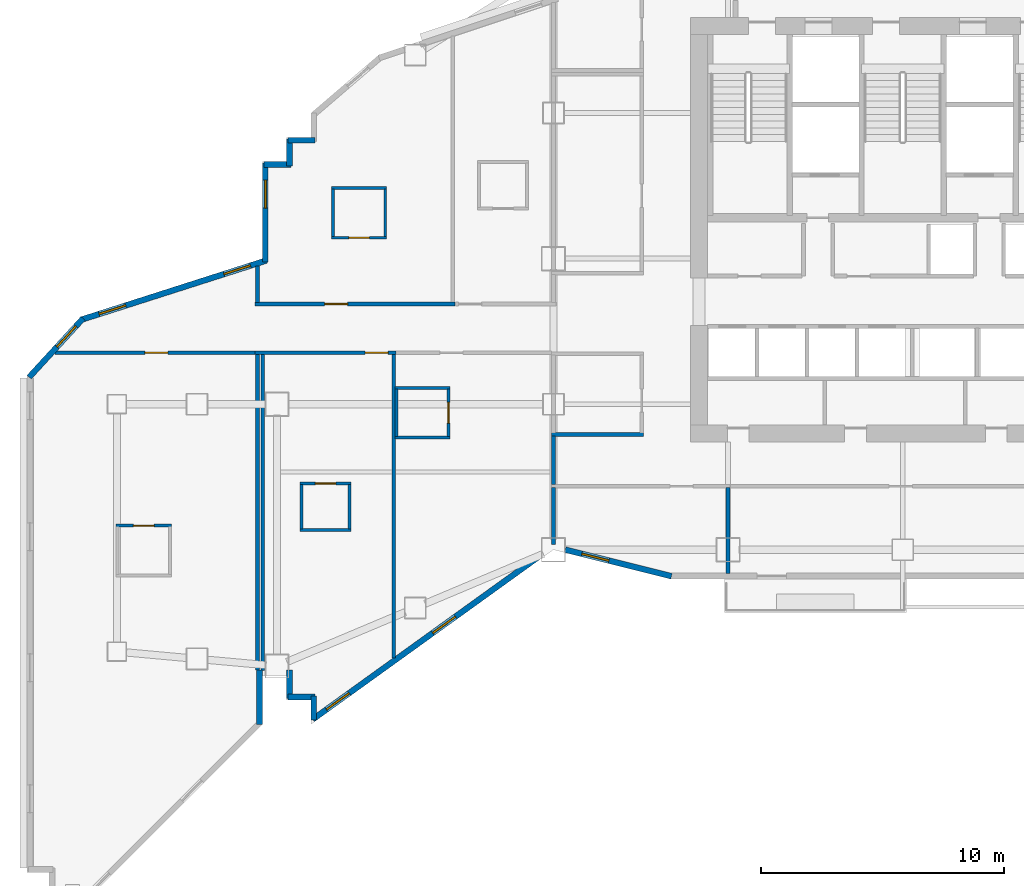
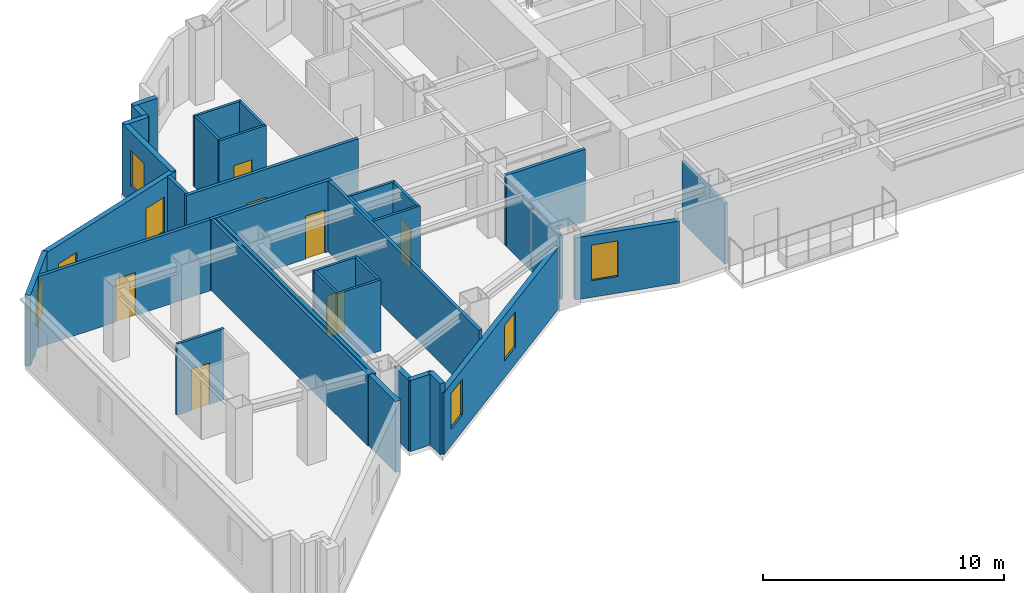
# One storey, part 5 of 14: 36 walls, 7 doors, 7 windows, 14 openings.
"""IFC4 building model written with IfcOpenShell, lengths in metres."""

from ifc_helpers import new_model, si_unit, direction, frame, frame_2d, origin, place, context, subcontext, project, spatial, rectangle, extrude, material, layer, layer_set, type_object, element, fill, save


model = new_model("IFC4")

# Units and contexts
model_context = context("Model", 3, precision=1e-05, world=origin(), true_north=direction((0.0, 1.0)))
body_context = subcontext(model_context, "Body", "Model", "MODEL_VIEW")
ifc_project = project(units=[si_unit("LENGTHUNIT", "METRE"), si_unit("AREAUNIT", "SQUARE_METRE"), si_unit("VOLUMEUNIT", "CUBIC_METRE"), si_unit("PLANEANGLEUNIT", "RADIAN"), si_unit("MASSUNIT", "GRAM", prefix="KILO")], contexts=[model_context])

# Site, building, storey
site_placement = place(None, origin())
site = spatial("IfcSite", under=ifc_project, at=site_placement, CompositionType="ELEMENT")
building_placement = place(site_placement, origin())
building = spatial("IfcBuilding", under=site, at=building_placement, Name="Haolan Belvedere Tower", CompositionType="ELEMENT")
storey_placement = place(building_placement, frame((0.0, 0.0, 113.60009765625)))
storey = spatial("IfcBuildingStorey", under=building, at=storey_placement, Name="L28", CompositionType="ELEMENT", Elevation=113.60009765625)

# Walls
ifc_material_1 = material(Name="Precast concrete C40/50", Category="concrete")
ifc_layer_1 = layer(ifc_material_1, 0.239990234375, Name="Precast concrete C40/50")
ifc_layer_set_1 = layer_set([ifc_layer_1], Name="Precast concrete C40/50")
wall_type_1 = type_object("IfcWallType", Name="WL-EXT-240", PredefinedType="SOLIDWALL", material=ifc_layer_set_1)
wall_1_placement = place(storey_placement, frame((13.1201171875, 16.639892578125, 0.0), z_axis=(0.0, 0.0, 1.0), x_axis=(0.0, -1.0, 0.0)))
element("IfcWall", 1, at=wall_1_placement, inside=storey, type_object=wall_type_1, Name="L28 pale-metal exterior spandrel wall 2.1", PredefinedType="SOLIDWALL", context=body_context, shape_type="SweptSolid", body=[
    extrude(rectangle(XDim=1.1748046875, YDim=0.239990234375, at=frame_2d((0.58740234375, 0.0))), origin(), (0.0, 0.0, 1.0), 3.599853515625),
])
wall_2_placement = place(storey_placement, frame((13.06494140625, 15.52001953125, 0.0), z_axis=(0.0, 0.0, 1.0), x_axis=(1.0, 0.0, 0.0)))
element("IfcWall", 2, at=wall_2_placement, inside=storey, type_object=wall_type_1, Name="L28 pale-metal exterior spandrel wall 3.1", PredefinedType="SOLIDWALL", context=body_context, shape_type="SweptSolid", body=[
    extrude(rectangle(XDim=1.110107421875, YDim=0.239990234375, at=frame_2d((0.55517578125, 0.0))), origin(), (0.0, 0.0, 1.0), 3.599853515625),
])
wall_3_placement = place(storey_placement, frame((14.1201171875, 15.574951171875, 0.0), z_axis=(0.0, 0.0, 1.0), x_axis=(0.0, -1.0, 0.0)))
element("IfcWall", 3, at=wall_3_placement, inside=storey, type_object=wall_type_1, Name="L28 pale-metal exterior spandrel wall 4.1", PredefinedType="SOLIDWALL", context=body_context, shape_type="SweptSolid", body=[
    extrude(rectangle(XDim=0.99560546875, YDim=0.239990234375, at=frame_2d((0.497802734375, 0.0))), origin(), (0.0, 0.0, 1.0), 3.599853515625),
])

# Wall, openings, windows
wall_4_placement = place(storey_placement, frame((14.075439453125, 14.602294921875, 0.0), z_axis=(0.0, 0.0, 1.0), x_axis=(0.811543504691, 0.584291998913, 0.0)))
wall_4 = element("IfcWall", 4, at=wall_4_placement, inside=storey, type_object=wall_type_1, Name="L28 pale-metal exterior spandrel wall 5.1", PredefinedType="SOLIDWALL", context=body_context, shape_type="SweptSolid", body=[
    extrude(rectangle(XDim=11.623046875, YDim=0.239990234375, at=frame_2d((5.8115234375, 0.0))), origin(), (0.0, 0.0, 1.0), 3.14501953125),
])
opening_1_placement = place(wall_4_placement, frame((0.699951171875, 0.0, 0.85009765625)))
opening_1 = element("IfcOpeningElement", 5, at=opening_1_placement, cuts=wall_4, Name="Opening W-02", PredefinedType="OPENING", context=body_context, shape_type="SweptSolid", body=[
    extrude(rectangle(XDim=1.14990234375, YDim=1.800048828125, at=frame_2d((0.574951171875, 0.89990234375))), frame((0.0, 0.1298828125, 0.0), z_axis=(0.0, -1.0, 0.0), x_axis=(1.0, 0.0, 0.0)), (0.0, 0.0, 1.0), 0.260009765625),
])
opening_2_placement = place(wall_4_placement, frame((6.10009765625, 0.0, 0.85009765625)))
opening_2 = element("IfcOpeningElement", 6, at=opening_2_placement, cuts=wall_4, Name="Opening W-02", PredefinedType="OPENING", context=body_context, shape_type="SweptSolid", body=[
    extrude(rectangle(XDim=1.14990234375, YDim=1.800048828125, at=frame_2d((0.574951171875, 0.89990234375))), frame((0.0, 0.1298828125, 0.0), z_axis=(0.0, -1.0, 0.0), x_axis=(1.0, 0.0, 0.0)), (0.0, 0.0, 1.0), 0.260009765625),
])
ifc_material_2 = material(Name="Anodised aluminium 6063-T6 and Low-E glass", Category="aluminium")
window_type = type_object("IfcWindowType", Name="WN-DECO-Z2", PartitioningType="SINGLE_PANEL", PredefinedType="WINDOW", material=ifc_material_2)
window_1_placement = place(opening_1_placement, origin())
window_1 = element("IfcWindow", 7, at=window_1_placement, inside=storey, type_object=window_type, Name="L28 Art Deco chevron window 1", OverallHeight=1.800048828125, OverallWidth=1.14990234375, PartitioningType="SINGLE_PANEL", PredefinedType="WINDOW", context=body_context, shape_type="SweptSolid", body=[
    extrude(rectangle(XDim=1.14990234375, YDim=1.800048828125, at=frame_2d((0.574951171875, 0.89990234375))), frame((0.0, 0.030029296875, 0.0), z_axis=(0.0, -1.0, 0.0), x_axis=(1.0, 0.0, 0.0)), (0.0, 0.0, 1.0), 0.06005859375),
])
fill(opening_1, window_1)
window_2_placement = place(opening_2_placement, origin())
window_2 = element("IfcWindow", 8, at=window_2_placement, inside=storey, type_object=window_type, Name="L28 Art Deco chevron window 2", OverallHeight=1.800048828125, OverallWidth=1.14990234375, PartitioningType="SINGLE_PANEL", PredefinedType="WINDOW", context=body_context, shape_type="SweptSolid", body=[
    extrude(rectangle(XDim=1.14990234375, YDim=1.800048828125, at=frame_2d((0.574951171875, 0.89990234375))), frame((0.0, 0.030029296875, 0.0), z_axis=(0.0, -1.0, 0.0), x_axis=(1.0, 0.0, 0.0)), (0.0, 0.0, 1.0), 0.06005859375),
])
fill(opening_2, window_2)

# Wall, opening, window
wall_5_placement = place(storey_placement, frame((24.491943359375, 21.6005859375, 0.0), z_axis=(0.0, 0.0, 1.0), x_axis=(0.970145683738, -0.242522890311, 0.0)))
wall_5 = element("IfcWall", 9, at=wall_5_placement, inside=storey, type_object=wall_type_1, Name="L28 pale-metal exterior spandrel wall 6.1", PredefinedType="SOLIDWALL", context=body_context, shape_type="SweptSolid", body=[
    extrude(rectangle(XDim=4.510986328125, YDim=0.239990234375, at=frame_2d((2.25537109375, 0.0))), origin(), (0.0, 0.0, 1.0), 3.14501953125),
])
opening_3_placement = place(wall_5_placement, frame((0.699951171875, 0.0, 0.85009765625)))
opening_3 = element("IfcOpeningElement", 10, at=opening_3_placement, cuts=wall_5, Name="Opening W-02", PredefinedType="OPENING", context=body_context, shape_type="SweptSolid", body=[
    extrude(rectangle(XDim=1.14990234375, YDim=1.800048828125, at=frame_2d((0.574951171875, 0.89990234375))), frame((0.0, 0.1298828125, 0.0), z_axis=(0.0, -1.0, 0.0), x_axis=(1.0, 0.0, 0.0)), (0.0, 0.0, 1.0), 0.260009765625),
])
window_3_placement = place(opening_3_placement, origin())
window_3 = element("IfcWindow", 11, at=window_3_placement, inside=storey, type_object=window_type, Name="L28 Art Deco chevron window 1", OverallHeight=1.800048828125, OverallWidth=1.14990234375, PartitioningType="SINGLE_PANEL", PredefinedType="WINDOW", context=body_context, shape_type="SweptSolid", body=[
    extrude(rectangle(XDim=1.14990234375, YDim=1.800048828125, at=frame_2d((0.574951171875, 0.89990234375))), frame((0.0, 0.030029296875, 0.0), z_axis=(0.0, -1.0, 0.0), x_axis=(1.0, 0.0, 0.0)), (0.0, 0.0, 1.0), 0.06005859375),
])
fill(opening_3, window_3)

# Walls
wall_6_placement = place(storey_placement, frame((14.175048828125, 38.47998046875, 0.0), z_axis=(0.0, 0.0, 1.0), x_axis=(-1.0, 0.0, 0.0)))
element("IfcWall", 12, at=wall_6_placement, inside=storey, type_object=wall_type_1, Name="L28 pale-metal exterior spandrel wall 38.1", PredefinedType="SOLIDWALL", context=body_context, shape_type="SweptSolid", body=[
    extrude(rectangle(XDim=1.110107421875, YDim=0.239990234375, at=frame_2d((0.55517578125, 0.0))), origin(), (0.0, 0.0, 1.0), 3.599853515625),
])
wall_7_placement = place(storey_placement, frame((13.1201171875, 38.534912109375, 0.0), z_axis=(0.0, 0.0, 1.0), x_axis=(0.0, -1.0, 0.0)))
element("IfcWall", 13, at=wall_7_placement, inside=storey, type_object=wall_type_1, Name="L28 pale-metal exterior spandrel wall 39.1", PredefinedType="SOLIDWALL", context=body_context, shape_type="SweptSolid", body=[
    extrude(rectangle(XDim=1.10986328125, YDim=0.239990234375, at=frame_2d((0.554931640625, 0.0))), origin(), (0.0, 0.0, 1.0), 3.599853515625),
])
wall_8_placement = place(storey_placement, frame((13.175048828125, 37.47998046875, 0.0), z_axis=(0.0, 0.0, 1.0), x_axis=(-1.0, 0.0, 0.0)))
element("IfcWall", 14, at=wall_8_placement, inside=storey, type_object=wall_type_1, Name="L28 pale-metal exterior spandrel wall 40.1", PredefinedType="SOLIDWALL", context=body_context, shape_type="SweptSolid", body=[
    extrude(rectangle(XDim=1.110107421875, YDim=0.239990234375, at=frame_2d((0.55517578125, 0.0))), origin(), (0.0, 0.0, 1.0), 3.599853515625),
])

# Wall, opening, window
wall_9_placement = place(storey_placement, frame((12.1201171875, 37.534912109375, 0.0), z_axis=(0.0, 0.0, 1.0), x_axis=(0.0, -1.0, 0.0)))
wall_9 = element("IfcWall", 15, at=wall_9_placement, inside=storey, type_object=wall_type_1, Name="L28 pale-metal exterior spandrel wall 41.1", PredefinedType="SOLIDWALL", context=body_context, shape_type="SweptSolid", body=[
    extrude(rectangle(XDim=4.077392578125, YDim=0.239990234375, at=frame_2d((2.03857421875, 0.0))), origin(), (0.0, 0.0, 1.0), 3.599853515625),
])
opening_4_placement = place(wall_9_placement, frame((0.699951171875, 0.0, 0.85009765625)))
opening_4 = element("IfcOpeningElement", 16, at=opening_4_placement, cuts=wall_9, Name="Opening W-02", PredefinedType="OPENING", context=body_context, shape_type="SweptSolid", body=[
    extrude(rectangle(XDim=1.14990234375, YDim=1.800048828125, at=frame_2d((0.574951171875, 0.89990234375))), frame((0.0, 0.1298828125, 0.0), z_axis=(0.0, -1.0, 0.0), x_axis=(1.0, 0.0, 0.0)), (0.0, 0.0, 1.0), 0.260009765625),
])
window_4_placement = place(opening_4_placement, origin())
window_4 = element("IfcWindow", 17, at=window_4_placement, inside=storey, type_object=window_type, Name="L28 Art Deco chevron window 1", OverallHeight=1.800048828125, OverallWidth=1.14990234375, PartitioningType="SINGLE_PANEL", PredefinedType="WINDOW", context=body_context, shape_type="SweptSolid", body=[
    extrude(rectangle(XDim=1.14990234375, YDim=1.800048828125, at=frame_2d((0.574951171875, 0.89990234375))), frame((0.0, 0.030029296875, 0.0), z_axis=(0.0, -1.0, 0.0), x_axis=(1.0, 0.0, 0.0)), (0.0, 0.0, 1.0), 0.06005859375),
])
fill(opening_4, window_4)

# Wall, openings, windows
wall_10_placement = place(storey_placement, frame((12.17236328125, 33.529296875, 0.0), z_axis=(0.0, 0.0, 1.0), x_axis=(-0.952419211315, -0.304791151311, 0.0)))
wall_10 = element("IfcWall", 18, at=wall_10_placement, inside=storey, type_object=wall_type_1, Name="L28 pale-metal exterior spandrel wall 42.1", PredefinedType="SOLIDWALL", context=body_context, shape_type="SweptSolid", body=[
    extrude(rectangle(XDim=8.04052734375, YDim=0.239990234375, at=frame_2d((4.020263671875, 0.0))), origin(), (0.0, 0.0, 1.0), 3.599853515625),
])
opening_5_placement = place(wall_10_placement, frame((0.699951171875, 0.0, 0.85009765625)))
opening_5 = element("IfcOpeningElement", 19, at=opening_5_placement, cuts=wall_10, Name="Opening W-02", PredefinedType="OPENING", context=body_context, shape_type="SweptSolid", body=[
    extrude(rectangle(XDim=1.14990234375, YDim=1.800048828125, at=frame_2d((0.574951171875, 0.89990234375))), frame((0.0, 0.1298828125, 0.0), z_axis=(0.0, -1.0, 0.0), x_axis=(1.0, 0.0, 0.0)), (0.0, 0.0, 1.0), 0.260009765625),
])
opening_6_placement = place(wall_10_placement, frame((6.10009765625, 0.0, 0.85009765625)))
opening_6 = element("IfcOpeningElement", 20, at=opening_6_placement, cuts=wall_10, Name="Opening W-02", PredefinedType="OPENING", context=body_context, shape_type="SweptSolid", body=[
    extrude(rectangle(XDim=1.14990234375, YDim=1.800048828125, at=frame_2d((0.574951171875, 0.89990234375))), frame((0.0, 0.1298828125, 0.0), z_axis=(0.0, -1.0, 0.0), x_axis=(1.0, 0.0, 0.0)), (0.0, 0.0, 1.0), 0.260009765625),
])
window_5_placement = place(opening_5_placement, origin())
window_5 = element("IfcWindow", 21, at=window_5_placement, inside=storey, type_object=window_type, Name="L28 Art Deco chevron window 1", OverallHeight=1.800048828125, OverallWidth=1.14990234375, PartitioningType="SINGLE_PANEL", PredefinedType="WINDOW", context=body_context, shape_type="SweptSolid", body=[
    extrude(rectangle(XDim=1.14990234375, YDim=1.800048828125, at=frame_2d((0.574951171875, 0.89990234375))), frame((0.0, 0.030029296875, 0.0), z_axis=(0.0, -1.0, 0.0), x_axis=(1.0, 0.0, 0.0)), (0.0, 0.0, 1.0), 0.06005859375),
])
fill(opening_5, window_5)
window_6_placement = place(opening_6_placement, origin())
window_6 = element("IfcWindow", 22, at=window_6_placement, inside=storey, type_object=window_type, Name="L28 Art Deco chevron window 2", OverallHeight=1.800048828125, OverallWidth=1.14990234375, PartitioningType="SINGLE_PANEL", PredefinedType="WINDOW", context=body_context, shape_type="SweptSolid", body=[
    extrude(rectangle(XDim=1.14990234375, YDim=1.800048828125, at=frame_2d((0.574951171875, 0.89990234375))), frame((0.0, 0.030029296875, 0.0), z_axis=(0.0, -1.0, 0.0), x_axis=(1.0, 0.0, 0.0)), (0.0, 0.0, 1.0), 0.06005859375),
])
fill(opening_6, window_6)

# Wall, opening, window
wall_11_placement = place(storey_placement, frame((4.60400390625, 31.135986328125, 0.0), z_axis=(0.0, 0.0, 1.0), x_axis=(-0.675727991777, -0.737151057198, 0.0)))
wall_11 = element("IfcWall", 23, at=wall_11_placement, inside=storey, type_object=wall_type_1, Name="L28 pale-metal exterior spandrel wall 43.1", PredefinedType="SOLIDWALL", context=body_context, shape_type="SweptSolid", body=[
    extrude(rectangle(XDim=3.287109375, YDim=0.239990234375, at=frame_2d((1.6435546875, 0.0))), origin(), (0.0, 0.0, 1.0), 3.599853515625),
])
opening_7_placement = place(wall_11_placement, frame((0.439453125, 0.0, 0.85009765625)))
opening_7 = element("IfcOpeningElement", 24, at=opening_7_placement, cuts=wall_11, Name="Opening W-02", PredefinedType="OPENING", context=body_context, shape_type="SweptSolid", body=[
    extrude(rectangle(XDim=1.14990234375, YDim=1.800048828125, at=frame_2d((0.574951171875, 0.89990234375))), frame((0.0, 0.1298828125, 0.0), z_axis=(0.0, -1.0, 0.0), x_axis=(1.0, 0.0, 0.0)), (0.0, 0.0, 1.0), 0.260009765625),
])
window_7_placement = place(opening_7_placement, origin())
window_7 = element("IfcWindow", 25, at=window_7_placement, inside=storey, type_object=window_type, Name="L28 Art Deco chevron window 1", OverallHeight=1.800048828125, OverallWidth=1.14990234375, PartitioningType="SINGLE_PANEL", PredefinedType="WINDOW", context=body_context, shape_type="SweptSolid", body=[
    extrude(rectangle(XDim=1.14990234375, YDim=1.800048828125, at=frame_2d((0.574951171875, 0.89990234375))), frame((0.0, 0.030029296875, 0.0), z_axis=(0.0, -1.0, 0.0), x_axis=(1.0, 0.0, 0.0)), (0.0, 0.0, 1.0), 0.06005859375),
])
fill(opening_7, window_7)

# Walls
wall_12_placement = place(storey_placement, frame((11.8798828125, 14.394775390625, 0.0), z_axis=(0.0, 0.0, 1.0), x_axis=(0.0, 1.0, 0.0)))
element("IfcWall", 26, at=wall_12_placement, inside=storey, type_object=wall_type_1, Name="L28 pale-metal exterior spandrel wall 50.1", PredefinedType="SOLIDWALL", context=body_context, shape_type="SweptSolid", body=[
    extrude(rectangle(XDim=2.2451171875, YDim=0.239990234375, at=frame_2d((1.12255859375, 0.0))), origin(), (0.0, 0.0, 1.0), 3.599853515625),
])
ifc_material_3 = material(Name="Double gypsum acoustic stud partition", Category="masonry")
ifc_layer_2 = layer(ifc_material_3, 0.14990234375, Name="Double gypsum acoustic stud partition")
ifc_layer_set_2 = layer_set([ifc_layer_2], Name="Double gypsum acoustic stud partition")
wall_type_2 = type_object("IfcWallType", Name="WL-PART-150", PredefinedType="PARTITIONING", material=ifc_layer_set_2)
wall_13_placement = place(storey_placement, frame((23.919921875, 26.35009765625, 0.0), z_axis=(0.0, 0.0, 1.0), x_axis=(1.0, 0.0, 0.0)))
element("IfcWall", 27, at=wall_13_placement, inside=storey, type_object=wall_type_2, Name="L28 interior partition IW-L28-PKTW-S", PredefinedType="PARTITIONING", context=body_context, shape_type="SweptSolid", body=[
    extrude(rectangle(XDim=3.800048828125, YDim=0.14990234375, at=frame_2d((1.89990234375, 0.0))), origin(), (0.0, 0.0, 1.0), 3.599853515625),
])
wall_14_placement = place(storey_placement, frame((24.0, 21.818603515625, 0.0), z_axis=(0.0, 0.0, 1.0), x_axis=(0.0, 1.0, 0.0)))
element("IfcWall", 28, at=wall_14_placement, inside=storey, type_object=wall_type_2, Name="L28 interior partition IW-L28-KS1-W", PredefinedType="PARTITIONING", context=body_context, shape_type="SweptSolid", body=[
    extrude(rectangle(XDim=2.34130859375, YDim=0.14990234375, at=frame_2d((1.170654296875, 0.0))), origin(), (0.0, 0.0, 1.0), 3.14501953125),
])
wall_15_placement = place(storey_placement, frame((31.199951171875, 20.625, 0.0), z_axis=(0.0, 0.0, 1.0), x_axis=(0.0, 1.0, 0.0)))
element("IfcWall", 29, at=wall_15_placement, inside=storey, type_object=wall_type_2, Name="L28 interior partition IW-L28-KS1-E", PredefinedType="PARTITIONING", context=body_context, shape_type="SweptSolid", body=[
    extrude(rectangle(XDim=3.534912109375, YDim=0.14990234375, at=frame_2d((1.767578125, 0.0))), origin(), (0.0, 0.0, 1.0), 3.0849609375),
])

# Wall, opening, door
wall_16_placement = place(storey_placement, frame((11.699951171875, 31.72998046875, 0.0), z_axis=(0.0, 0.0, 1.0), x_axis=(1.0, 0.0, 0.0)))
wall_16 = element("IfcWall", 30, at=wall_16_placement, inside=storey, type_object=wall_type_2, Name="L28 interior partition IW-L28-T2N1-S", PredefinedType="PARTITIONING", context=body_context, shape_type="SweptSolid", body=[
    extrude(rectangle(XDim=8.25, YDim=0.14990234375, at=frame_2d((4.125, 0.0))), origin(), (0.0, 0.0, 1.0), 3.599853515625),
])
opening_8_placement = place(wall_16_placement, frame((2.866455078125, 0.0, 0.0)))
opening_8 = element("IfcOpeningElement", 31, at=opening_8_placement, cuts=wall_16, Name="Opening ID-01", PredefinedType="OPENING", context=body_context, shape_type="SweptSolid", body=[
    extrude(rectangle(XDim=0.949951171875, YDim=2.179931640625, at=frame_2d((0.47509765625, 1.08984375))), frame((0.0, 0.0849609375, 0.0), z_axis=(0.0, -1.0, 0.0), x_axis=(1.0, 0.0, 0.0)), (0.0, 0.0, 1.0), 0.169921875),
])
ifc_material_4 = material(Name="Acoustic walnut veneer fire-rated timber", Category="wood")
door_type_1 = type_object("IfcDoorType", Name="DR-SUITE-950", OperationType="NOTDEFINED", PredefinedType="DOOR", material=ifc_material_4)
door_1_placement = place(opening_8_placement, origin())
door_1 = element("IfcDoor", 32, at=door_1_placement, inside=storey, type_object=door_type_1, Name="L28 door ID-L28-T2N1-ENT", OperationType="SINGLE_SWING_LEFT", OverallHeight=2.179931640625, OverallWidth=0.949951171875, PredefinedType="DOOR", context=body_context, shape_type="SweptSolid", body=[
    extrude(rectangle(XDim=0.949951171875, YDim=2.179931640625, at=frame_2d((0.47509765625, 1.08984375))), frame((0.0, 0.02490234375, 0.0), z_axis=(0.0, -1.0, 0.0), x_axis=(1.0, 0.0, 0.0)), (0.0, 0.0, 1.0), 0.050048828125),
])
fill(opening_8, door_1)

# Wall
wall_17_placement = place(storey_placement, frame((11.800048828125, 31.7900390625, 0.0), z_axis=(0.0, 0.0, 1.0), x_axis=(0.0, 1.0, 0.0)))
element("IfcWall", 33, at=wall_17_placement, inside=storey, type_object=wall_type_2, Name="L28 interior partition IW-L28-T2N1-W", PredefinedType="PARTITIONING", context=body_context, shape_type="SweptSolid", body=[
    extrude(rectangle(XDim=1.509765625, YDim=0.14990234375, at=frame_2d((0.7548828125, 0.0))), origin(), (0.0, 0.0, 1.0), 3.599853515625),
])

# Wall, opening, door
wall_18_placement = place(storey_placement, frame((11.699951171875, 29.719970703125, 0.0), z_axis=(0.0, 0.0, 1.0), x_axis=(1.0, 0.0, 0.0)))
wall_18 = element("IfcWall", 34, at=wall_18_placement, inside=storey, type_object=wall_type_2, Name="L28 interior partition IW-L28-T2S1-N", PredefinedType="PARTITIONING", context=body_context, shape_type="SweptSolid", body=[
    extrude(rectangle(XDim=5.81005859375, YDim=0.14990234375, at=frame_2d((2.905029296875, 0.0))), origin(), (0.0, 0.0, 1.0), 3.599853515625),
])
opening_9_placement = place(wall_18_placement, frame((5.48779296875, 0.0, 0.0), z_axis=(0.0, 0.0, 1.0), x_axis=(-1.0, 0.0, 0.0)))
opening_9 = element("IfcOpeningElement", 35, at=opening_9_placement, cuts=wall_18, Name="Opening ID-01", PredefinedType="OPENING", context=body_context, shape_type="SweptSolid", body=[
    extrude(rectangle(XDim=0.949951171875, YDim=2.179931640625, at=frame_2d((0.47509765625, 1.08984375))), frame((0.0, 0.0849609375, 0.0), z_axis=(0.0, -1.0, 0.0), x_axis=(1.0, 0.0, 0.0)), (0.0, 0.0, 1.0), 0.169921875),
])
door_2_placement = place(opening_9_placement, origin())
door_2 = element("IfcDoor", 36, at=door_2_placement, inside=storey, type_object=door_type_1, Name="L28 door ID-L28-T2S1-ENT", OperationType="SINGLE_SWING_LEFT", OverallHeight=2.179931640625, OverallWidth=0.949951171875, PredefinedType="DOOR", context=body_context, shape_type="SweptSolid", body=[
    extrude(rectangle(XDim=0.949951171875, YDim=2.179931640625, at=frame_2d((0.47509765625, 1.08984375))), frame((0.0, 0.02490234375, 0.0), z_axis=(0.0, -1.0, 0.0), x_axis=(1.0, 0.0, 0.0)), (0.0, 0.0, 1.0), 0.050048828125),
])
fill(opening_9, door_2)

# Walls
wall_19_placement = place(storey_placement, frame((11.800048828125, 16.64208984375, 0.0), z_axis=(0.0, 0.0, 1.0), x_axis=(0.0, 1.0, 0.0)))
element("IfcWall", 37, at=wall_19_placement, inside=storey, type_object=wall_type_2, Name="L28 interior partition IW-L28-T2S1-W", PredefinedType="PARTITIONING", context=body_context, shape_type="SweptSolid", body=[
    extrude(rectangle(XDim=13.017822265625, YDim=0.14990234375, at=frame_2d((6.5087890625, 0.0))), origin(), (0.0, 0.0, 1.0), 3.599853515625),
])
wall_20_placement = place(storey_placement, frame((17.409912109375, 17.132568359375, 0.0), z_axis=(0.0, 0.0, 1.0), x_axis=(0.0, 1.0, 0.0)))
element("IfcWall", 38, at=wall_20_placement, inside=storey, type_object=wall_type_2, Name="L28 interior partition IW-L28-T2S1-E", PredefinedType="PARTITIONING", context=body_context, shape_type="SweptSolid", body=[
    extrude(rectangle(XDim=12.52734375, YDim=0.14990234375, at=frame_2d((6.263671875, 0.0))), origin(), (0.0, 0.0, 1.0), 3.599853515625),
])
wall_21_placement = place(storey_placement, frame((24.0, 24.280029296875, 0.0), z_axis=(0.0, 0.0, 1.0), x_axis=(0.0, 1.0, 0.0)))
element("IfcWall", 39, at=wall_21_placement, inside=storey, type_object=wall_type_2, Name="L28 interior partition IW-L28-T2S2-E", PredefinedType="PARTITIONING", context=body_context, shape_type="SweptSolid", body=[
    extrude(rectangle(XDim=2.010009765625, YDim=0.14990234375, at=frame_2d((1.0048828125, 0.0))), origin(), (0.0, 0.0, 1.0), 3.14501953125),
])

# Wall, opening, door
wall_22_placement = place(storey_placement, frame((3.448486328125, 29.719970703125, 0.0), z_axis=(0.0, 0.0, 1.0), x_axis=(1.0, 0.0, 0.0)))
wall_22 = element("IfcWall", 40, at=wall_22_placement, inside=storey, type_object=wall_type_2, Name="L28 interior partition IW-L28-T1S1-N", PredefinedType="PARTITIONING", context=body_context, shape_type="SweptSolid", body=[
    extrude(rectangle(XDim=8.24951171875, YDim=0.14990234375, at=frame_2d((4.124755859375, 0.0))), origin(), (0.0, 0.0, 1.0), 3.599853515625),
])
opening_10_placement = place(wall_22_placement, frame((4.6513671875, 0.0, 0.0), z_axis=(0.0, 0.0, 1.0), x_axis=(-1.0, 0.0, 0.0)))
opening_10 = element("IfcOpeningElement", 41, at=opening_10_placement, cuts=wall_22, Name="Opening ID-01", PredefinedType="OPENING", context=body_context, shape_type="SweptSolid", body=[
    extrude(rectangle(XDim=0.949951171875, YDim=2.179931640625, at=frame_2d((0.47509765625, 1.08984375))), frame((0.0, 0.0849609375, 0.0), z_axis=(0.0, -1.0, 0.0), x_axis=(1.0, 0.0, 0.0)), (0.0, 0.0, 1.0), 0.169921875),
])
door_3_placement = place(opening_10_placement, origin())
door_3 = element("IfcDoor", 42, at=door_3_placement, inside=storey, type_object=door_type_1, Name="L28 door ID-L28-T1S1-ENT", OperationType="SINGLE_SWING_LEFT", OverallHeight=2.179931640625, OverallWidth=0.949951171875, PredefinedType="DOOR", context=body_context, shape_type="SweptSolid", body=[
    extrude(rectangle(XDim=0.949951171875, YDim=2.179931640625, at=frame_2d((0.47509765625, 1.08984375))), frame((0.0, 0.02490234375, 0.0), z_axis=(0.0, -1.0, 0.0), x_axis=(1.0, 0.0, 0.0)), (0.0, 0.0, 1.0), 0.050048828125),
])
fill(opening_10, door_3)

# Walls
wall_23_placement = place(storey_placement, frame((12.02001953125, 16.612060546875, 0.0), z_axis=(0.0, 0.0, 1.0), x_axis=(0.0, 1.0, 0.0)))
element("IfcWall", 43, at=wall_23_placement, inside=storey, type_object=wall_type_2, Name="L28 interior partition IW-L28-T1S1-E", PredefinedType="PARTITIONING", context=body_context, shape_type="SweptSolid", body=[
    extrude(rectangle(XDim=13.0478515625, YDim=0.14990234375, at=frame_2d((6.52392578125, 0.0))), origin(), (0.0, 0.0, 1.0), 3.599853515625),
])
ifc_material_5 = material(Name="Moisture-resistant gypsum tile partition", Category="masonry")
ifc_layer_3 = layer(ifc_material_5, 0.1201171875, Name="Moisture-resistant gypsum tile partition")
ifc_layer_set_3 = layer_set([ifc_layer_3], Name="Moisture-resistant gypsum tile partition")
wall_type_3 = type_object("IfcWallType", Name="WL-WET-120", PredefinedType="PARTITIONING", material=ifc_layer_set_3)
wall_24_placement = place(storey_placement, frame((14.85498046875, 36.512939453125, 0.0), z_axis=(0.0, 0.0, 1.0), x_axis=(1.0, 0.0, 0.0)))
element("IfcWall", 44, at=wall_24_placement, inside=storey, type_object=wall_type_3, Name="L28 interior partition IW-L28-T2N1-BN", PredefinedType="PARTITIONING", context=body_context, shape_type="SweptSolid", body=[
    extrude(rectangle(XDim=2.27001953125, YDim=0.1201171875, at=frame_2d((1.135009765625, 0.0))), origin(), (0.0, 0.0, 1.0), 3.599853515625),
])

# Wall, opening, door
wall_25_placement = place(storey_placement, frame((14.85498046875, 34.462890625, 0.0), z_axis=(0.0, 0.0, 1.0), x_axis=(1.0, 0.0, 0.0)))
wall_25 = element("IfcWall", 45, at=wall_25_placement, inside=storey, type_object=wall_type_3, Name="L28 interior partition IW-L28-T2N1-BS", PredefinedType="PARTITIONING", context=body_context, shape_type="SweptSolid", body=[
    extrude(rectangle(XDim=2.27001953125, YDim=0.1201171875, at=frame_2d((1.135009765625, 0.0))), origin(), (0.0, 0.0, 1.0), 3.599853515625),
])
opening_11_placement = place(wall_25_placement, frame((0.7099609375, 0.0, 0.0)))
opening_11 = element("IfcOpeningElement", 46, at=opening_11_placement, cuts=wall_25, Name="Opening ID-05", PredefinedType="OPENING", context=body_context, shape_type="SweptSolid", body=[
    extrude(rectangle(XDim=0.85009765625, YDim=2.10009765625, at=frame_2d((0.425048828125, 1.050048828125))), frame((0.0, 0.070068359375, 0.0), z_axis=(0.0, -1.0, 0.0), x_axis=(1.0, 0.0, 0.0)), (0.0, 0.0, 1.0), 0.14013671875),
])
ifc_material_6 = material(Name="Moisture-resistant lacquered timber", Category="wood")
door_type_2 = type_object("IfcDoorType", Name="DR-BATH-850", OperationType="NOTDEFINED", PredefinedType="DOOR", material=ifc_material_6)
door_4_placement = place(opening_11_placement, origin())
door_4 = element("IfcDoor", 47, at=door_4_placement, inside=storey, type_object=door_type_2, Name="L28 door ID-L28-T2N1-BATH", OperationType="SINGLE_SWING_RIGHT", OverallHeight=2.10009765625, OverallWidth=0.85009765625, PredefinedType="DOOR", context=body_context, shape_type="SweptSolid", body=[
    extrude(rectangle(XDim=0.85009765625, YDim=2.10009765625, at=frame_2d((0.425048828125, 1.050048828125))), frame((0.0, 0.02490234375, 0.0), z_axis=(0.0, -1.0, 0.0), x_axis=(1.0, 0.0, 0.0)), (0.0, 0.0, 1.0), 0.050048828125),
])
fill(opening_11, door_4)

# Walls
for number, where, z_axis, x_axis, name in (
    (48, (14.9150390625, 34.508056640625, 0.0), (0.0, 0.0, 1.0), (0.0, 1.0, 0.0), "L28 interior partition IW-L28-T2N1-BW"),
    (49, (17.06494140625, 34.508056640625, 0.0), (0.0, 0.0, 1.0), (0.0, 1.0, 0.0), "L28 interior partition IW-L28-T2N1-BE"),
):
    element("IfcWall", number, at=place(storey_placement, frame(where, z_axis=z_axis, x_axis=x_axis)), inside=storey, type_object=wall_type_3, Name=name, PredefinedType="PARTITIONING", context=body_context, shape_type="SweptSolid", body=[
        extrude(rectangle(XDim=1.9599609375, YDim=0.1201171875, at=frame_2d((0.97998046875, 0.0))), origin(), (0.0, 0.0, 1.0), 3.599853515625),
    ])

# Wall, opening, door
wall_26_placement = place(storey_placement, frame((13.554931640625, 24.327880859375, 0.0), z_axis=(0.0, 0.0, 1.0), x_axis=(1.0, 0.0, 0.0)))
wall_26 = element("IfcWall", 50, at=wall_26_placement, inside=storey, type_object=wall_type_3, Name="L28 interior partition IW-L28-T2S1-BN", PredefinedType="PARTITIONING", context=body_context, shape_type="SweptSolid", body=[
    extrude(rectangle(XDim=2.10009765625, YDim=0.1201171875, at=frame_2d((1.050048828125, 0.0))), origin(), (0.0, 0.0, 1.0), 3.599853515625),
])
opening_12_placement = place(wall_26_placement, frame((1.47509765625, 0.0, 0.0), z_axis=(0.0, 0.0, 1.0), x_axis=(-1.0, 0.0, 0.0)))
opening_12 = element("IfcOpeningElement", 51, at=opening_12_placement, cuts=wall_26, Name="Opening ID-05", PredefinedType="OPENING", context=body_context, shape_type="SweptSolid", body=[
    extrude(rectangle(XDim=0.85009765625, YDim=2.10009765625, at=frame_2d((0.425048828125, 1.050048828125))), frame((0.0, 0.070068359375, 0.0), z_axis=(0.0, -1.0, 0.0), x_axis=(1.0, 0.0, 0.0)), (0.0, 0.0, 1.0), 0.14013671875),
])
door_5_placement = place(opening_12_placement, origin())
door_5 = element("IfcDoor", 52, at=door_5_placement, inside=storey, type_object=door_type_2, Name="L28 door ID-L28-T2S1-BATH", OperationType="SINGLE_SWING_RIGHT", OverallHeight=2.10009765625, OverallWidth=0.85009765625, PredefinedType="DOOR", context=body_context, shape_type="SweptSolid", body=[
    extrude(rectangle(XDim=0.85009765625, YDim=2.10009765625, at=frame_2d((0.425048828125, 1.050048828125))), frame((0.0, 0.02490234375, 0.0), z_axis=(0.0, -1.0, 0.0), x_axis=(1.0, 0.0, 0.0)), (0.0, 0.0, 1.0), 0.050048828125),
])
fill(opening_12, door_5)

# Walls
wall_27_placement = place(storey_placement, frame((13.554931640625, 22.407958984375, 0.0), z_axis=(0.0, 0.0, 1.0), x_axis=(1.0, 0.0, 0.0)))
element("IfcWall", 53, at=wall_27_placement, inside=storey, type_object=wall_type_3, Name="L28 interior partition IW-L28-T2S1-BS", PredefinedType="PARTITIONING", context=body_context, shape_type="SweptSolid", body=[
    extrude(rectangle(XDim=2.10009765625, YDim=0.1201171875, at=frame_2d((1.050048828125, 0.0))), origin(), (0.0, 0.0, 1.0), 3.599853515625),
])
for number, where, z_axis, x_axis, name in (
    (54, (13.614990234375, 22.452880859375, 0.0), (0.0, 0.0, 1.0), (0.0, 1.0, 0.0), "L28 interior partition IW-L28-T2S1-BW"),
    (55, (15.594970703125, 22.452880859375, 0.0), (0.0, 0.0, 1.0), (0.0, 1.0, 0.0), "L28 interior partition IW-L28-T2S1-BE"),
):
    element("IfcWall", number, at=place(storey_placement, frame(where, z_axis=z_axis, x_axis=x_axis)), inside=storey, type_object=wall_type_3, Name=name, PredefinedType="PARTITIONING", context=body_context, shape_type="SweptSolid", body=[
        extrude(rectangle(XDim=1.830078125, YDim=0.1201171875, at=frame_2d((0.9150390625, 0.0))), origin(), (0.0, 0.0, 1.0), 3.599853515625),
    ])
for number, where, z_axis, x_axis, name in (
    (56, (17.469970703125, 28.27001953125, 0.0), (0.0, 0.0, 1.0), (1.0, 0.0, 0.0), "L28 interior partition IW-L28-T2S2-BN"),
    (57, (17.469970703125, 26.219970703125, 0.0), (0.0, 0.0, 1.0), (1.0, 0.0, 0.0), "L28 interior partition IW-L28-T2S2-BS"),
):
    element("IfcWall", number, at=place(storey_placement, frame(where, z_axis=z_axis, x_axis=x_axis)), inside=storey, type_object=wall_type_3, Name=name, PredefinedType="PARTITIONING", context=body_context, shape_type="SweptSolid", body=[
        extrude(rectangle(XDim=2.26513671875, YDim=0.1201171875, at=frame_2d((1.132568359375, 0.0))), origin(), (0.0, 0.0, 1.0), 3.599853515625),
    ])
wall_28_placement = place(storey_placement, frame((17.52490234375, 26.264892578125, 0.0), z_axis=(0.0, 0.0, 1.0), x_axis=(0.0, 1.0, 0.0)))
element("IfcWall", 58, at=wall_28_placement, inside=storey, type_object=wall_type_3, Name="L28 interior partition IW-L28-T2S2-BW", PredefinedType="PARTITIONING", context=body_context, shape_type="SweptSolid", body=[
    extrude(rectangle(XDim=1.960205078125, YDim=0.1201171875, at=frame_2d((0.97998046875, 0.0))), origin(), (0.0, 0.0, 1.0), 3.599853515625),
])

# Wall, opening, door
wall_29_placement = place(storey_placement, frame((19.675048828125, 26.264892578125, 0.0), z_axis=(0.0, 0.0, 1.0), x_axis=(0.0, 1.0, 0.0)))
wall_29 = element("IfcWall", 59, at=wall_29_placement, inside=storey, type_object=wall_type_3, Name="L28 interior partition IW-L28-T2S2-BE", PredefinedType="PARTITIONING", context=body_context, shape_type="SweptSolid", body=[
    extrude(rectangle(XDim=1.960205078125, YDim=0.1201171875, at=frame_2d((0.97998046875, 0.0))), origin(), (0.0, 0.0, 1.0), 3.599853515625),
])
opening_13_placement = place(wall_29_placement, frame((0.554931640625, 0.0, 0.0)))
opening_13 = element("IfcOpeningElement", 60, at=opening_13_placement, cuts=wall_29, Name="Opening ID-05", PredefinedType="OPENING", context=body_context, shape_type="SweptSolid", body=[
    extrude(rectangle(XDim=0.85009765625, YDim=2.10009765625, at=frame_2d((0.425048828125, 1.050048828125))), frame((0.0, 0.070068359375, 0.0), z_axis=(0.0, -1.0, 0.0), x_axis=(1.0, 0.0, 0.0)), (0.0, 0.0, 1.0), 0.14013671875),
])
door_6_placement = place(opening_13_placement, origin())
door_6 = element("IfcDoor", 61, at=door_6_placement, inside=storey, type_object=door_type_2, Name="L28 door ID-L28-T2S2-BATH", OperationType="SINGLE_SWING_LEFT", OverallHeight=2.10009765625, OverallWidth=0.85009765625, PredefinedType="DOOR", context=body_context, shape_type="SweptSolid", body=[
    extrude(rectangle(XDim=0.85009765625, YDim=2.10009765625, at=frame_2d((0.425048828125, 1.050048828125))), frame((0.0, 0.02490234375, 0.0), z_axis=(0.0, -1.0, 0.0), x_axis=(1.0, 0.0, 0.0)), (0.0, 0.0, 1.0), 0.050048828125),
])
fill(opening_13, door_6)

wall_30_placement = place(storey_placement, frame((5.971923828125, 22.592041015625, 0.0), z_axis=(0.0, 0.0, 1.0), x_axis=(1.0, 0.0, 0.0)))
wall_30 = element("IfcWall", 62, at=wall_30_placement, inside=storey, type_object=wall_type_3, Name="L28 interior partition IW-L28-T1S1-BN", PredefinedType="PARTITIONING", context=body_context, shape_type="SweptSolid", body=[
    extrude(rectangle(XDim=2.27001953125, YDim=0.1201171875, at=frame_2d((1.135009765625, 0.0))), origin(), (0.0, 0.0, 1.0), 3.599853515625),
])
opening_14_placement = place(wall_30_placement, frame((1.56005859375, 0.0, 0.0), z_axis=(0.0, 0.0, 1.0), x_axis=(-1.0, 0.0, 0.0)))
opening_14 = element("IfcOpeningElement", 63, at=opening_14_placement, cuts=wall_30, Name="Opening ID-05", PredefinedType="OPENING", context=body_context, shape_type="SweptSolid", body=[
    extrude(rectangle(XDim=0.85009765625, YDim=2.10009765625, at=frame_2d((0.425048828125, 1.050048828125))), frame((0.0, 0.070068359375, 0.0), z_axis=(0.0, -1.0, 0.0), x_axis=(1.0, 0.0, 0.0)), (0.0, 0.0, 1.0), 0.14013671875),
])
door_7_placement = place(opening_14_placement, origin())
door_7 = element("IfcDoor", 64, at=door_7_placement, inside=storey, type_object=door_type_2, Name="L28 door ID-L28-T1S1-BATH", OperationType="SINGLE_SWING_RIGHT", OverallHeight=2.10009765625, OverallWidth=0.85009765625, PredefinedType="DOOR", context=body_context, shape_type="SweptSolid", body=[
    extrude(rectangle(XDim=0.85009765625, YDim=2.10009765625, at=frame_2d((0.425048828125, 1.050048828125))), frame((0.0, 0.02490234375, 0.0), z_axis=(0.0, -1.0, 0.0), x_axis=(1.0, 0.0, 0.0)), (0.0, 0.0, 1.0), 0.050048828125),
])
fill(opening_14, door_7)

save(model, "model.ifc")
